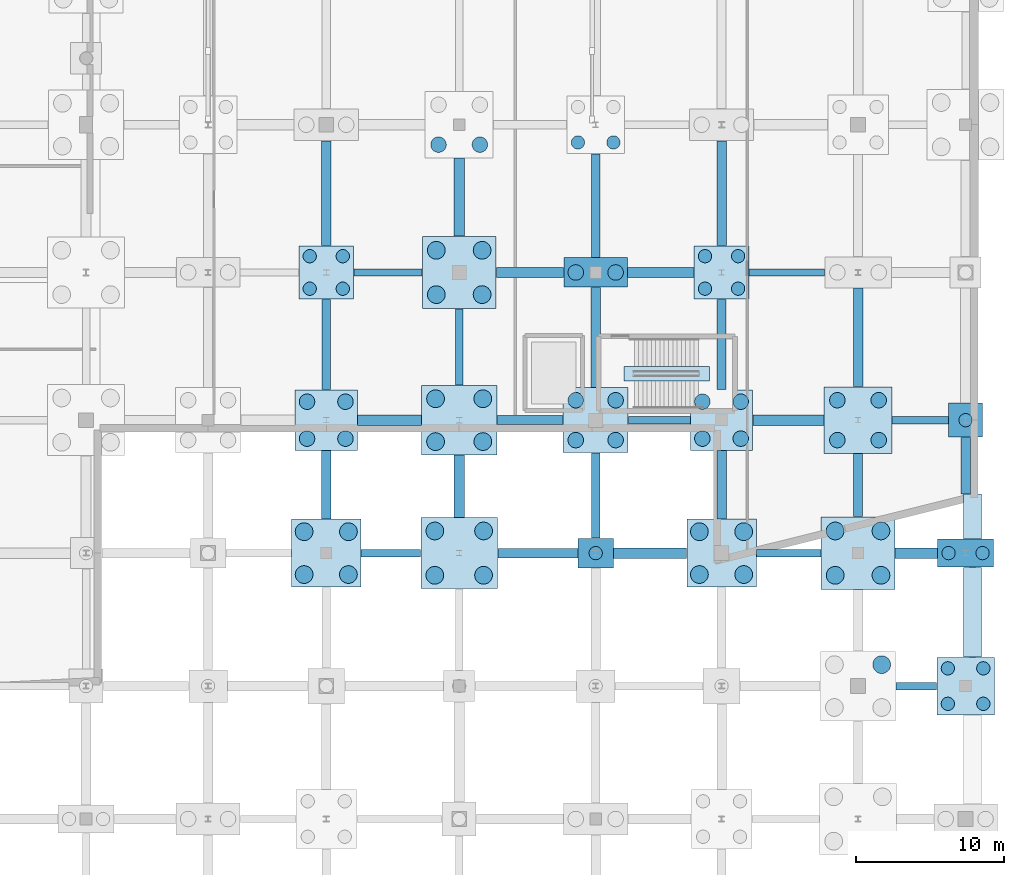
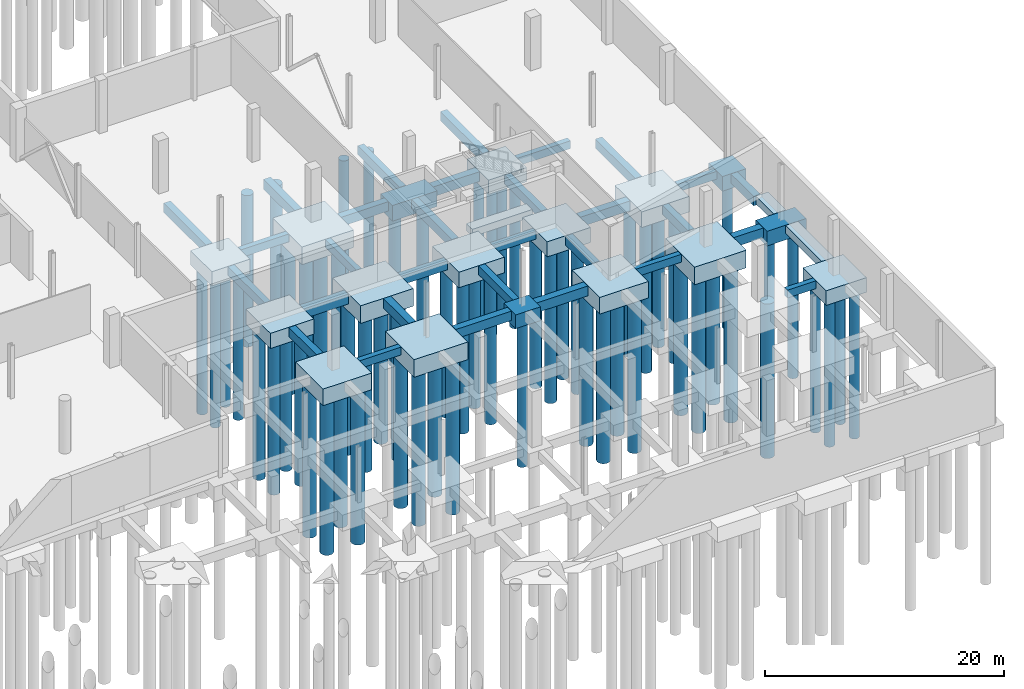
# One storey, part 12 of 60: 63 piles, 50 footings.
"""IFC4 building model written with IfcOpenShell, lengths in metres."""

from ifc_helpers import new_model, si_unit, direction, frame, origin, origin_2d, place, context, subcontext, project, spatial, rectangle, circle, extrude, material, material_profile, profile_set, type_object, element, save


model = new_model("IFC4")

# Units and contexts
model_context = context("Model", 3, precision=1e-05, world=origin(), true_north=direction((0.0, 1.0)))
body_context = subcontext(model_context, "Body", "Model", "MODEL_VIEW")
ifc_project = project(units=[si_unit("LENGTHUNIT", "METRE"), si_unit("AREAUNIT", "SQUARE_METRE"), si_unit("VOLUMEUNIT", "CUBIC_METRE"), si_unit("PLANEANGLEUNIT", "RADIAN"), si_unit("MASSUNIT", "GRAM", prefix="KILO")], contexts=[model_context])

# Site, building, storey
site_placement = place(None, origin())
site = spatial("IfcSite", under=ifc_project, at=site_placement, CompositionType="ELEMENT")
building_placement = place(site_placement, origin())
building = spatial("IfcBuilding", under=site, at=building_placement, Name="Trimount Lyric Opera House", CompositionType="ELEMENT")
storey_placement = place(building_placement, frame((0.0, 0.0, -5.39990234375)))
storey = spatial("IfcBuildingStorey", under=building, at=storey_placement, Name="B1", CompositionType="ELEMENT", Elevation=-5.39990234375)

# Footings
ifc_material_1 = material(Name="Concrete C40/50", Category="concrete")
footing_type_1 = type_object("IfcFootingType", Name="FB-01", PredefinedType="FOOTING_BEAM", material=ifc_material_1)
footing_1_placement = place(storey_placement, frame((134.27490234375, 44.0, -1.60009765625), z_axis=(0.0, 0.0, 1.0), x_axis=(1.0, 0.0, 0.0)))
element("IfcFooting", 1, at=footing_1_placement, inside=storey, type_object=footing_type_1, Name="Ground tie beam X-0320", PredefinedType="FOOTING_BEAM", context=body_context, shape_type="SweptSolid", body=[
    extrude(rectangle(XDim=4.320068359375, YDim=0.699951171875, at=origin_2d()), origin(), (0.0, 0.0, 1.0), 1.0),
])
footing_2_placement = place(storey_placement, frame((139.0, 39.52490234375, -1.60009765625), z_axis=(0.0, 0.0, 1.0), x_axis=(1.0, 0.0, 0.0)))
element("IfcFooting", 2, at=footing_2_placement, inside=storey, type_object=footing_type_1, Name="Ground tie beam Y-0340", PredefinedType="FOOTING_BEAM", context=body_context, shape_type="SweptSolid", body=[
    extrude(rectangle(XDim=0.699951171875, YDim=4.219970703125, at=origin_2d()), origin(), (0.0, 0.0, 1.0), 1.0),
])
footing_3_placement = place(storey_placement, frame((139.0, 59.10009765625, -1.60009765625), z_axis=(0.0, 0.0, 1.0), x_axis=(1.0, 0.0, 0.0)))
element("IfcFooting", 3, at=footing_3_placement, inside=storey, type_object=footing_type_1, Name="Ground tie beam Y-0344", PredefinedType="FOOTING_BEAM", context=body_context, shape_type="SweptSolid", body=[
    extrude(rectangle(XDim=0.699951171875, YDim=5.27001953125, at=origin_2d()), origin(), (0.0, 0.0, 1.0), 1.0),
])
footing_4_placement = place(storey_placement, frame((151.925048828125, 35.0, -1.60009765625), z_axis=(0.0, 0.0, 1.0), x_axis=(1.0, 0.0, 0.0)))
element("IfcFooting", 4, at=footing_4_placement, inside=storey, type_object=footing_type_1, Name="Ground tie beam X-0360", PredefinedType="FOOTING_BEAM", context=body_context, shape_type="SweptSolid", body=[
    extrude(rectangle(XDim=4.93994140625, YDim=0.699951171875, at=origin_2d()), origin(), (0.0, 0.0, 1.0), 1.0),
])
footing_5_placement = place(storey_placement, frame((152.64990234375, 54.0, -1.60009765625), z_axis=(0.0, 0.0, 1.0), x_axis=(1.0, 0.0, 0.0)))
element("IfcFooting", 5, at=footing_5_placement, inside=storey, type_object=footing_type_1, Name="Ground tie beam X-0364", PredefinedType="FOOTING_BEAM", context=body_context, shape_type="SweptSolid", body=[
    extrude(rectangle(XDim=4.489990234375, YDim=0.699951171875, at=origin_2d()), origin(), (0.0, 0.0, 1.0), 1.0),
])
footing_6_placement = place(storey_placement, frame((161.280029296875, 44.0, -1.60009765625), z_axis=(0.0, 0.0, 1.0), x_axis=(1.0, 0.0, 0.0)))
element("IfcFooting", 6, at=footing_6_placement, inside=storey, type_object=footing_type_1, Name="Ground tie beam X-0388", PredefinedType="FOOTING_BEAM", context=body_context, shape_type="SweptSolid", body=[
    extrude(rectangle(XDim=4.81005859375, YDim=0.699951171875, at=origin_2d()), origin(), (0.0, 0.0, 1.0), 1.0),
])
footing_7_placement = place(storey_placement, frame((169.93994140625, 35.0, -1.60009765625), z_axis=(0.0, 0.0, 1.0), x_axis=(1.0, 0.0, 0.0)))
element("IfcFooting", 7, at=footing_7_placement, inside=storey, type_object=footing_type_1, Name="Ground tie beam X-0412", PredefinedType="FOOTING_BEAM", context=body_context, shape_type="SweptSolid", body=[
    extrude(rectangle(XDim=2.85009765625, YDim=0.699951171875, at=origin_2d()), origin(), (0.0, 0.0, 1.0), 1.0),
])
ifc_material_2 = material(Name="Concrete C40/50", Category="concrete")
footing_type_2 = type_object("IfcFootingType", Name="FB-02", PredefinedType="FOOTING_BEAM", material=ifc_material_2)
footing_8_placement = place(storey_placement, frame((130.0, 49.125, -1.5), z_axis=(0.0, 0.0, 1.0), x_axis=(1.0, 0.0, 0.0)))
element("IfcFooting", 8, at=footing_8_placement, inside=storey, type_object=footing_type_2, Name="Ground tie beam Y-0321", PredefinedType="FOOTING_BEAM", context=body_context, shape_type="SweptSolid", body=[
    extrude(rectangle(XDim=0.60009765625, YDim=6.1201171875, at=origin_2d()), origin(), (0.0, 0.0, 1.0), 0.89990234375),
])
footing_9_placement = place(storey_placement, frame((143.794921875, 44.0, -1.5), z_axis=(0.0, 0.0, 1.0), x_axis=(1.0, 0.0, 0.0)))
element("IfcFooting", 9, at=footing_9_placement, inside=storey, type_object=footing_type_2, Name="Ground tie beam X-0341", PredefinedType="FOOTING_BEAM", context=body_context, shape_type="SweptSolid", body=[
    extrude(rectangle(XDim=4.4599609375, YDim=0.60009765625, at=origin_2d()), origin(), (0.0, 0.0, 1.0), 0.89990234375),
])
footing_10_placement = place(storey_placement, frame((148.239990234375, 38.89990234375, -1.5), z_axis=(0.0, 0.0, 1.0), x_axis=(1.0, 0.0, 0.0)))
element("IfcFooting", 10, at=footing_10_placement, inside=storey, type_object=footing_type_2, Name="Ground tie beam Y-0361", PredefinedType="FOOTING_BEAM", context=body_context, shape_type="SweptSolid", body=[
    extrude(rectangle(XDim=0.60009765625, YDim=5.77001953125, at=origin_2d()), origin(), (0.0, 0.0, 1.0), 0.89990234375),
])
footing_11_placement = place(storey_placement, frame((148.239990234375, 58.52490234375, -1.5), z_axis=(0.0, 0.0, 1.0), x_axis=(1.0, 0.0, 0.0)))
element("IfcFooting", 11, at=footing_11_placement, inside=storey, type_object=footing_type_2, Name="Ground tie beam Y-0365", PredefinedType="FOOTING_BEAM", context=body_context, shape_type="SweptSolid", body=[
    extrude(rectangle(XDim=0.60009765625, YDim=7.02001953125, at=origin_2d()), origin(), (0.0, 0.0, 1.0), 0.89990234375),
])
footing_12_placement = place(storey_placement, frame((156.760009765625, 49.125, -1.5), z_axis=(0.0, 0.0, 1.0), x_axis=(1.0, 0.0, 0.0)))
element("IfcFooting", 12, at=footing_12_placement, inside=storey, type_object=footing_type_2, Name="Ground tie beam Y-0389", PredefinedType="FOOTING_BEAM", context=body_context, shape_type="SweptSolid", body=[
    extrude(rectangle(XDim=0.60009765625, YDim=6.1201171875, at=origin_2d()), origin(), (0.0, 0.0, 1.0), 0.89990234375),
])
footing_13_placement = place(storey_placement, frame((166.0, 39.60009765625, -1.5), z_axis=(0.0, 0.0, 1.0), x_axis=(1.0, 0.0, 0.0)))
element("IfcFooting", 13, at=footing_13_placement, inside=storey, type_object=footing_type_2, Name="Ground tie beam Y-0413", PredefinedType="FOOTING_BEAM", context=body_context, shape_type="SweptSolid", body=[
    extrude(rectangle(XDim=0.60009765625, YDim=4.27001953125, at=origin_2d()), origin(), (0.0, 0.0, 1.0), 0.89990234375),
])
ifc_material_3 = material(Name="Concrete C40/50", Category="concrete")
footing_type_3 = type_object("IfcFootingType", Name="FB-03", PredefinedType="FOOTING_BEAM", material=ifc_material_3)
footing_14_placement = place(storey_placement, frame((134.375, 35.0, -1.39990234375), z_axis=(0.0, 0.0, 1.0), x_axis=(1.0, 0.0, 0.0)))
element("IfcFooting", 14, at=footing_14_placement, inside=storey, type_object=footing_type_3, Name="Ground tie beam X-0318", PredefinedType="FOOTING_BEAM", context=body_context, shape_type="SweptSolid", body=[
    extrude(rectangle(XDim=4.02001953125, YDim=0.5, at=origin_2d()), origin(), (0.0, 0.0, 1.0), 0.800048828125),
])
footing_15_placement = place(storey_placement, frame((134.175048828125, 54.0, -1.39990234375), z_axis=(0.0, 0.0, 1.0), x_axis=(1.0, 0.0, 0.0)))
element("IfcFooting", 15, at=footing_15_placement, inside=storey, type_object=footing_type_3, Name="Ground tie beam X-0322", PredefinedType="FOOTING_BEAM", context=body_context, shape_type="SweptSolid", body=[
    extrude(rectangle(XDim=4.6201171875, YDim=0.5, at=origin_2d()), origin(), (0.0, 0.0, 1.0), 0.800048828125),
])
footing_16_placement = place(storey_placement, frame((139.0, 48.949951171875, -1.39990234375), z_axis=(0.0, 0.0, 1.0), x_axis=(1.0, 0.0, 0.0)))
element("IfcFooting", 16, at=footing_16_placement, inside=storey, type_object=footing_type_3, Name="Ground tie beam Y-0342", PredefinedType="FOOTING_BEAM", context=body_context, shape_type="SweptSolid", body=[
    extrude(rectangle(XDim=0.5, YDim=5.169921875, at=origin_2d()), origin(), (0.0, 0.0, 1.0), 0.800048828125),
])
footing_17_placement = place(storey_placement, frame((152.550048828125, 44.0, -1.39990234375), z_axis=(0.0, 0.0, 1.0), x_axis=(1.0, 0.0, 0.0)))
element("IfcFooting", 17, at=footing_17_placement, inside=storey, type_object=footing_type_3, Name="Ground tie beam X-0362", PredefinedType="FOOTING_BEAM", context=body_context, shape_type="SweptSolid", body=[
    extrude(rectangle(XDim=4.18994140625, YDim=0.5, at=origin_2d()), origin(), (0.0, 0.0, 1.0), 0.800048828125),
])
footing_18_placement = place(storey_placement, frame((161.304931640625, 35.0, -1.39990234375), z_axis=(0.0, 0.0, 1.0), x_axis=(1.0, 0.0, 0.0)))
element("IfcFooting", 18, at=footing_18_placement, inside=storey, type_object=footing_type_3, Name="Ground tie beam X-0386", PredefinedType="FOOTING_BEAM", context=body_context, shape_type="SweptSolid", body=[
    extrude(rectangle(XDim=4.360107421875, YDim=0.5, at=origin_2d()), origin(), (0.0, 0.0, 1.0), 0.800048828125),
])
footing_19_placement = place(storey_placement, frame((161.179931640625, 54.0, -1.39990234375), z_axis=(0.0, 0.0, 1.0), x_axis=(1.0, 0.0, 0.0)))
element("IfcFooting", 19, at=footing_19_placement, inside=storey, type_object=footing_type_3, Name="Ground tie beam X-0390", PredefinedType="FOOTING_BEAM", context=body_context, shape_type="SweptSolid", body=[
    extrude(rectangle(XDim=5.110107421875, YDim=0.5, at=origin_2d()), origin(), (0.0, 0.0, 1.0), 0.800048828125),
])
footing_20_placement = place(storey_placement, frame((169.93994140625, 26.0, -1.39990234375), z_axis=(0.0, 0.0, 1.0), x_axis=(1.0, 0.0, 0.0)))
element("IfcFooting", 20, at=footing_20_placement, inside=storey, type_object=footing_type_3, Name="Ground tie beam X-0410", PredefinedType="FOOTING_BEAM", context=body_context, shape_type="SweptSolid", body=[
    extrude(rectangle(XDim=2.75, YDim=0.5, at=origin_2d()), origin(), (0.0, 0.0, 1.0), 0.800048828125),
])
footing_21_placement = place(storey_placement, frame((170.215087890625, 44.0, -1.39990234375), z_axis=(0.0, 0.0, 1.0), x_axis=(1.0, 0.0, 0.0)))
element("IfcFooting", 21, at=footing_21_placement, inside=storey, type_object=footing_type_3, Name="Ground tie beam X-0414", PredefinedType="FOOTING_BEAM", context=body_context, shape_type="SweptSolid", body=[
    extrude(rectangle(XDim=3.800048828125, YDim=0.5, at=origin_2d()), origin(), (0.0, 0.0, 1.0), 0.800048828125),
])
ifc_material_4 = material(Name="Concrete C40/50", Category="concrete")
footing_type_4 = type_object("IfcFootingType", Name="FB-04", PredefinedType="FOOTING_BEAM", material=ifc_material_4)
footing_22_placement = place(storey_placement, frame((130.0, 39.625, -1.55029296875), z_axis=(0.0, 0.0, 1.0), x_axis=(1.0, 0.0, 0.0)))
element("IfcFooting", 22, at=footing_22_placement, inside=storey, type_object=footing_type_4, Name="Ground tie beam Y-0319", PredefinedType="FOOTING_BEAM", context=body_context, shape_type="SweptSolid", body=[
    extrude(rectangle(XDim=0.64990234375, YDim=4.6201171875, at=origin_2d()), origin(), (0.0, 0.0, 1.0), 0.949951171875),
])
footing_23_placement = place(storey_placement, frame((130.0, 59.362548828125, -1.55029296875), z_axis=(0.0, 0.0, 1.0), x_axis=(1.0, 0.0, 0.0)))
element("IfcFooting", 23, at=footing_23_placement, inside=storey, type_object=footing_type_4, Name="Ground tie beam Y-0323", PredefinedType="FOOTING_BEAM", context=body_context, shape_type="SweptSolid", body=[
    extrude(rectangle(XDim=0.64990234375, YDim=7.094970703125, at=origin_2d()), origin(), (0.0, 0.0, 1.0), 0.949951171875),
])
footing_24_placement = place(storey_placement, frame((144.320068359375, 35.0, -1.55029296875), z_axis=(0.0, 0.0, 1.0), x_axis=(1.0, 0.0, 0.0)))
element("IfcFooting", 24, at=footing_24_placement, inside=storey, type_object=footing_type_4, Name="Ground tie beam X-0339", PredefinedType="FOOTING_BEAM", context=body_context, shape_type="SweptSolid", body=[
    extrude(rectangle(XDim=5.409912109375, YDim=0.64990234375, at=origin_2d()), origin(), (0.0, 0.0, 1.0), 0.949951171875),
])
footing_25_placement = place(storey_placement, frame((143.794921875, 54.0, -1.55029296875), z_axis=(0.0, 0.0, 1.0), x_axis=(1.0, 0.0, 0.0)))
element("IfcFooting", 25, at=footing_25_placement, inside=storey, type_object=footing_type_4, Name="Ground tie beam X-0343", PredefinedType="FOOTING_BEAM", context=body_context, shape_type="SweptSolid", body=[
    extrude(rectangle(XDim=4.56005859375, YDim=0.64990234375, at=origin_2d()), origin(), (0.0, 0.0, 1.0), 0.949951171875),
])
footing_26_placement = place(storey_placement, frame((148.239990234375, 49.60009765625, -1.55029296875), z_axis=(0.0, 0.0, 1.0), x_axis=(1.0, 0.0, 0.0)))
element("IfcFooting", 26, at=footing_26_placement, inside=storey, type_object=footing_type_4, Name="Ground tie beam Y-0363", PredefinedType="FOOTING_BEAM", context=body_context, shape_type="SweptSolid", body=[
    extrude(rectangle(XDim=0.64990234375, YDim=6.77001953125, at=origin_2d()), origin(), (0.0, 0.0, 1.0), 0.949951171875),
])
footing_27_placement = place(storey_placement, frame((156.760009765625, 39.625, -1.55029296875), z_axis=(0.0, 0.0, 1.0), x_axis=(1.0, 0.0, 0.0)))
element("IfcFooting", 27, at=footing_27_placement, inside=storey, type_object=footing_type_4, Name="Ground tie beam Y-0387", PredefinedType="FOOTING_BEAM", context=body_context, shape_type="SweptSolid", body=[
    extrude(rectangle(XDim=0.64990234375, YDim=4.6201171875, at=origin_2d()), origin(), (0.0, 0.0, 1.0), 0.949951171875),
])
footing_28_placement = place(storey_placement, frame((156.760009765625, 59.362548828125, -1.55029296875), z_axis=(0.0, 0.0, 1.0), x_axis=(1.0, 0.0, 0.0)))
element("IfcFooting", 28, at=footing_28_placement, inside=storey, type_object=footing_type_4, Name="Ground tie beam Y-0391", PredefinedType="FOOTING_BEAM", context=body_context, shape_type="SweptSolid", body=[
    extrude(rectangle(XDim=0.64990234375, YDim=7.094970703125, at=origin_2d()), origin(), (0.0, 0.0, 1.0), 0.949951171875),
])
footing_29_placement = place(storey_placement, frame((166.0, 49.60009765625, -1.55029296875), z_axis=(0.0, 0.0, 1.0), x_axis=(1.0, 0.0, 0.0)))
element("IfcFooting", 29, at=footing_29_placement, inside=storey, type_object=footing_type_4, Name="Ground tie beam Y-0415", PredefinedType="FOOTING_BEAM", context=body_context, shape_type="SweptSolid", body=[
    extrude(rectangle(XDim=0.64990234375, YDim=6.669921875, at=origin_2d()), origin(), (0.0, 0.0, 1.0), 0.949951171875),
])
footing_30_placement = place(storey_placement, frame((173.280029296875, 40.925048828125, -1.55029296875), z_axis=(0.0, 0.0, 1.0), x_axis=(1.0, 0.0, 0.0)))
element("IfcFooting", 30, at=footing_30_placement, inside=storey, type_object=footing_type_4, Name="Ground tie beam Y-0431", PredefinedType="FOOTING_BEAM", context=body_context, shape_type="SweptSolid", body=[
    extrude(rectangle(XDim=0.64990234375, YDim=3.820068359375, at=origin_2d()), origin(), (0.0, 0.0, 1.0), 0.949951171875),
])
ifc_material_5 = material(Name="Concrete C40/50", Category="concrete")
footing_type_5 = type_object("IfcFootingType", Name="PC-04", PredefinedType="PILE_CAP", material=ifc_material_5)
footing_31_placement = place(storey_placement, frame((148.239990234375, 44.0, -2.2001953125), z_axis=(0.0, 0.0, 1.0), x_axis=(1.0, 0.0, 0.0)))
element("IfcFooting", 31, at=footing_31_placement, inside=storey, type_object=footing_type_5, Name="Pile cap 17/F", PredefinedType="PILE_CAP", context=body_context, shape_type="SweptSolid", body=[
    extrude(rectangle(XDim=4.39990234375, YDim=4.39990234375, at=origin_2d()), origin(), (0.0, 0.0, 1.0), 1.60009765625),
])
ifc_material_6 = material(Name="Concrete C40/50", Category="concrete")
footing_type_6 = type_object("IfcFootingType", Name="PC-05", PredefinedType="PILE_CAP", material=ifc_material_6)
footing_32_placement = place(storey_placement, frame((148.239990234375, 54.0, -2.2001953125), z_axis=(0.0, 0.0, 1.0), x_axis=(1.0, 0.0, 0.0)))
element("IfcFooting", 32, at=footing_32_placement, inside=storey, type_object=footing_type_6, Name="Pile cap 17/G", PredefinedType="PILE_CAP", context=body_context, shape_type="SweptSolid", body=[
    extrude(rectangle(XDim=4.300048828125, YDim=2.0, at=origin_2d()), origin(), (0.0, 0.0, 1.0), 1.60009765625),
])
ifc_material_7 = material(Name="Concrete C40/50", Category="concrete")
footing_type_7 = type_object("IfcFootingType", Name="PC-06", PredefinedType="PILE_CAP", material=ifc_material_7)
footing_33_placement = place(storey_placement, frame((173.280029296875, 26.0, -2.10009765625), z_axis=(0.0, 0.0, 1.0), x_axis=(1.0, 0.0, 0.0)))
element("IfcFooting", 33, at=footing_33_placement, inside=storey, type_object=footing_type_7, Name="Pile cap 20/D", PredefinedType="PILE_CAP", context=body_context, shape_type="SweptSolid", body=[
    extrude(rectangle(XDim=3.89990234375, YDim=3.89990234375, at=origin_2d()), origin(), (0.0, 0.0, 1.0), 1.5),
])
ifc_material_8 = material(Name="Concrete C40/50", Category="concrete")
footing_type_8 = type_object("IfcFootingType", Name="PC-07", PredefinedType="PILE_CAP", material=ifc_material_8)
footing_34_placement = place(storey_placement, frame((173.280029296875, 35.0, -2.10009765625), z_axis=(0.0, 0.0, 1.0), x_axis=(1.0, 0.0, 0.0)))
element("IfcFooting", 34, at=footing_34_placement, inside=storey, type_object=footing_type_8, Name="Pile cap 20/E", PredefinedType="PILE_CAP", context=body_context, shape_type="SweptSolid", body=[
    extrude(rectangle(XDim=3.800048828125, YDim=1.89990234375, at=origin_2d()), origin(), (0.0, 0.0, 1.0), 1.5),
])
ifc_material_9 = material(Name="Concrete C40/50", Category="concrete")
footing_type_9 = type_object("IfcFootingType", Name="PC-08", PredefinedType="PILE_CAP", material=ifc_material_9)
footing_35_placement = place(storey_placement, frame((173.280029296875, 44.0, -2.10009765625), z_axis=(0.0, 0.0, 1.0), x_axis=(1.0, 0.0, 0.0)))
element("IfcFooting", 35, at=footing_35_placement, inside=storey, type_object=footing_type_9, Name="Pile cap 20/F", PredefinedType="PILE_CAP", context=body_context, shape_type="SweptSolid", body=[
    extrude(rectangle(XDim=2.300048828125, YDim=2.300048828125, at=origin_2d()), origin(), (0.0, 0.0, 1.0), 1.5),
])
ifc_material_10 = material(Name="Concrete C40/50", Category="concrete")
footing_type_10 = type_object("IfcFootingType", Name="PC-10", PredefinedType="PILE_CAP", material=ifc_material_10)
footing_36_placement = place(storey_placement, frame((139.0, 35.0, -2.39990234375), z_axis=(0.0, 0.0, 1.0), x_axis=(1.0, 0.0, 0.0)))
element("IfcFooting", 36, at=footing_36_placement, inside=storey, type_object=footing_type_10, Name="Pile cap 16/E", PredefinedType="PILE_CAP", context=body_context, shape_type="SweptSolid", body=[
    extrude(rectangle(XDim=5.199951171875, YDim=4.800048828125, at=origin_2d()), origin(), (0.0, 0.0, 1.0), 1.800048828125),
])
ifc_material_11 = material(Name="Concrete C40/50", Category="concrete")
footing_type_11 = type_object("IfcFootingType", Name="PC-11", PredefinedType="PILE_CAP", material=ifc_material_11)
footing_37_placement = place(storey_placement, frame((139.0, 44.0, -2.39990234375), z_axis=(0.0, 0.0, 1.0), x_axis=(1.0, 0.0, 0.0)))
element("IfcFooting", 37, at=footing_37_placement, inside=storey, type_object=footing_type_11, Name="Pile cap 16/F", PredefinedType="PILE_CAP", context=body_context, shape_type="SweptSolid", body=[
    extrude(rectangle(XDim=5.10009765625, YDim=4.699951171875, at=origin_2d()), origin(), (0.0, 0.0, 1.0), 1.800048828125),
])
ifc_material_12 = material(Name="Concrete C40/50", Category="concrete")
footing_type_12 = type_object("IfcFootingType", Name="PC-12", PredefinedType="PILE_CAP", material=ifc_material_12)
for number, where, z_axis, x_axis, name in (
    (38, (139.0, 54.0, -2.39990234375), (0.0, 0.0, 1.0), (1.0, 0.0, 0.0), "Pile cap 16/G"),
    (39, (166.0, 35.0, -2.39990234375), (0.0, 0.0, 1.0), (1.0, 0.0, 0.0), "Pile cap 19/E"),
):
    element("IfcFooting", number, at=place(storey_placement, frame(where, z_axis=z_axis, x_axis=x_axis)), inside=storey, type_object=footing_type_12, Name=name, PredefinedType="PILE_CAP", context=body_context, shape_type="SweptSolid", body=[
        extrude(rectangle(XDim=5.0, YDim=4.89990234375, at=origin_2d()), origin(), (0.0, 0.0, 1.0), 1.800048828125),
    ])
ifc_material_13 = material(Name="Concrete C40/50", Category="concrete")
footing_type_13 = type_object("IfcFootingType", Name="PC-13", PredefinedType="PILE_CAP", material=ifc_material_13)
footing_38_placement = place(storey_placement, frame((166.0, 44.0, -2.2001953125), z_axis=(0.0, 0.0, 1.0), x_axis=(1.0, 0.0, 0.0)))
element("IfcFooting", 40, at=footing_38_placement, inside=storey, type_object=footing_type_13, Name="Pile cap 19/F", PredefinedType="PILE_CAP", context=body_context, shape_type="SweptSolid", body=[
    extrude(rectangle(XDim=4.60009765625, YDim=4.5, at=origin_2d()), origin(), (0.0, 0.0, 1.0), 1.60009765625),
])
ifc_material_14 = material(Name="Concrete C40/50", Category="concrete")
footing_type_14 = type_object("IfcFootingType", Name="PC-17", PredefinedType="PILE_CAP", material=ifc_material_14)
for number, where, z_axis, x_axis, name in (
    (41, (130.0, 35.0, -2.30029296875), (0.0, 0.0, 1.0), (1.0, 0.0, 0.0), "Pile cap 15/E"),
    (42, (156.760009765625, 35.0, -2.30029296875), (0.0, 0.0, 1.0), (1.0, 0.0, 0.0), "Pile cap 18/E"),
):
    element("IfcFooting", number, at=place(storey_placement, frame(where, z_axis=z_axis, x_axis=x_axis)), inside=storey, type_object=footing_type_14, Name=name, PredefinedType="PILE_CAP", context=body_context, shape_type="SweptSolid", body=[
        extrude(rectangle(XDim=4.699951171875, YDim=4.60009765625, at=origin_2d()), origin(), (0.0, 0.0, 1.0), 1.699951171875),
    ])
ifc_material_15 = material(Name="Concrete C40/50", Category="concrete")
footing_type_15 = type_object("IfcFootingType", Name="PC-18", PredefinedType="PILE_CAP", material=ifc_material_15)
for number, where, z_axis, x_axis, name in (
    (43, (130.0, 44.0, -2.14990234375), (0.0, 0.0, 1.0), (1.0, 0.0, 0.0), "Pile cap 15/F"),
    (44, (156.760009765625, 44.0, -2.14990234375), (0.0, 0.0, 1.0), (1.0, 0.0, 0.0), "Pile cap 18/F"),
):
    element("IfcFooting", number, at=place(storey_placement, frame(where, z_axis=z_axis, x_axis=x_axis)), inside=storey, type_object=footing_type_15, Name=name, PredefinedType="PILE_CAP", context=body_context, shape_type="SweptSolid", body=[
        extrude(rectangle(XDim=4.199951171875, YDim=4.10009765625, at=origin_2d()), origin(), (0.0, 0.0, 1.0), 1.550048828125),
    ])
ifc_material_16 = material(Name="Concrete C40/50", Category="concrete")
footing_type_16 = type_object("IfcFootingType", Name="PC-19", PredefinedType="PILE_CAP", material=ifc_material_16)
for number, where, z_axis, x_axis, name in (
    (45, (130.0, 54.0, -2.05029296875), (0.0, 0.0, 1.0), (1.0, 0.0, 0.0), "Pile cap 15/G"),
    (46, (156.760009765625, 54.0, -2.05029296875), (0.0, 0.0, 1.0), (1.0, 0.0, 0.0), "Pile cap 18/G"),
):
    element("IfcFooting", number, at=place(storey_placement, frame(where, z_axis=z_axis, x_axis=x_axis)), inside=storey, type_object=footing_type_16, Name=name, PredefinedType="PILE_CAP", context=body_context, shape_type="SweptSolid", body=[
        extrude(rectangle(XDim=3.699951171875, YDim=3.60009765625, at=origin_2d()), origin(), (0.0, 0.0, 1.0), 1.449951171875),
    ])
ifc_material_17 = material(Name="Concrete C40/50", Category="concrete")
footing_type_17 = type_object("IfcFootingType", Name="PC-22", PredefinedType="PILE_CAP", material=ifc_material_17)
footing_39_placement = place(storey_placement, frame((148.239990234375, 35.0, -2.0), z_axis=(0.0, 0.0, 1.0), x_axis=(1.0, 0.0, 0.0)))
element("IfcFooting", 47, at=footing_39_placement, inside=storey, type_object=footing_type_17, Name="Pile cap 17/E", PredefinedType="PILE_CAP", context=body_context, shape_type="SweptSolid", body=[
    extrude(rectangle(XDim=2.39990234375, YDim=2.0, at=origin_2d()), origin(), (0.0, 0.0, 1.0), 1.39990234375),
])

# Piles
ifc_material_18 = material(Name="Concrete C40/50", Category="concrete")
ifc_material_profile_1 = material_profile(ifc_material_18, circle(Radius=0.52490234375, at=origin_2d()), Name="PILE-D1050")
ifc_profile_set_1 = profile_set([ifc_material_profile_1], Name="Concrete C40/50")
pile_type_1 = type_object("IfcPileType", Name="PL-1050", PredefinedType="BORED", material=ifc_profile_set_1)
for number, where, z_axis, x_axis, name in (
    (48, (128.699951171875, 42.75, -2.050048828125), (0.0, 0.0, -1.0), (1.0, 0.0, 0.0), "Bored pile 0553"),
    (49, (131.300048828125, 42.75, -2.050048828125), (0.0, 0.0, -1.0), (1.0, 0.0, 0.0), "Bored pile 0554"),
    (50, (128.699951171875, 45.25, -2.050048828125), (0.0, 0.0, -1.0), (1.0, 0.0, 0.0), "Bored pile 0555"),
    (51, (131.300048828125, 45.25, -2.050048828125), (0.0, 0.0, -1.0), (1.0, 0.0, 0.0), "Bored pile 0556"),
    (52, (137.60009765625, 62.64990234375, -2.10009765625), (0.0, 0.0, -1.0), (1.0, 0.0, 0.0), "Bored pile 0591"),
    (53, (140.39990234375, 62.64990234375, -2.10009765625), (0.0, 0.0, -1.0), (1.0, 0.0, 0.0), "Bored pile 0592"),
    (54, (146.889892578125, 42.64990234375, -2.10009765625), (0.0, 0.0, -1.0), (1.0, 0.0, 0.0), "Bored pile 0618"),
    (55, (149.590087890625, 42.64990234375, -2.10009765625), (0.0, 0.0, -1.0), (1.0, 0.0, 0.0), "Bored pile 0619"),
    (56, (146.889892578125, 45.35009765625, -2.10009765625), (0.0, 0.0, -1.0), (1.0, 0.0, 0.0), "Bored pile 0620"),
    (57, (149.590087890625, 45.35009765625, -2.10009765625), (0.0, 0.0, -1.0), (1.0, 0.0, 0.0), "Bored pile 0621"),
    (58, (146.889892578125, 54.0, -2.10009765625), (0.0, 0.0, -1.0), (1.0, 0.0, 0.0), "Bored pile 0622"),
    (59, (149.590087890625, 54.0, -2.10009765625), (0.0, 0.0, -1.0), (1.0, 0.0, 0.0), "Bored pile 0623"),
    (60, (155.4599609375, 42.75, -2.050048828125), (0.0, 0.0, -1.0), (1.0, 0.0, 0.0), "Bored pile 0659"),
    (61, (158.06005859375, 42.75, -2.050048828125), (0.0, 0.0, -1.0), (1.0, 0.0, 0.0), "Bored pile 0660"),
    (62, (155.4599609375, 45.25, -2.050048828125), (0.0, 0.0, -1.0), (1.0, 0.0, 0.0), "Bored pile 0661"),
    (63, (158.06005859375, 45.25, -2.050048828125), (0.0, 0.0, -1.0), (1.0, 0.0, 0.0), "Bored pile 0662"),
    (64, (164.60009765625, 42.64990234375, -2.10009765625), (0.0, 0.0, -1.0), (1.0, 0.0, 0.0), "Bored pile 0697"),
    (65, (167.39990234375, 42.64990234375, -2.10009765625), (0.0, 0.0, -1.0), (1.0, 0.0, 0.0), "Bored pile 0698"),
    (66, (164.60009765625, 45.35009765625, -2.10009765625), (0.0, 0.0, -1.0), (1.0, 0.0, 0.0), "Bored pile 0699"),
    (67, (167.39990234375, 45.35009765625, -2.10009765625), (0.0, 0.0, -1.0), (1.0, 0.0, 0.0), "Bored pile 0700"),
):
    element("IfcPile", number, at=place(storey_placement, frame(where, z_axis=z_axis, x_axis=x_axis)), inside=storey, type_object=pile_type_1, Name=name, PredefinedType="BORED", context=body_context, shape_type="SweptSolid", body=[
        extrude(circle(Radius=0.52490234375, at=origin_2d()), origin(), (0.0, 0.0, 1.0), 15.5),
    ])
ifc_material_19 = material(Name="Concrete C40/50", Category="concrete")
ifc_material_profile_2 = material_profile(ifc_material_19, circle(Radius=0.60009765625, at=origin_2d()), Name="PILE-D1200")
ifc_profile_set_2 = profile_set([ifc_material_profile_2], Name="Concrete C40/50")
pile_type_2 = type_object("IfcPileType", Name="PL-1200", PredefinedType="BORED", material=ifc_profile_set_2)
for number, where, z_axis, x_axis, name in (
    (68, (128.5, 33.550048828125, -2.2001953125), (0.0, 0.0, -1.0), (1.0, 0.0, 0.0), "Bored pile 0549"),
    (69, (131.5, 33.550048828125, -2.2001953125), (0.0, 0.0, -1.0), (1.0, 0.0, 0.0), "Bored pile 0550"),
    (70, (128.5, 36.449951171875, -2.2001953125), (0.0, 0.0, -1.0), (1.0, 0.0, 0.0), "Bored pile 0551"),
    (71, (131.5, 36.449951171875, -2.2001953125), (0.0, 0.0, -1.0), (1.0, 0.0, 0.0), "Bored pile 0552"),
    (72, (137.35009765625, 33.5, -2.300048828125), (0.0, 0.0, -1.0), (1.0, 0.0, 0.0), "Bored pile 0579"),
    (73, (140.64990234375, 33.5, -2.300048828125), (0.0, 0.0, -1.0), (1.0, 0.0, 0.0), "Bored pile 0580"),
    (74, (137.35009765625, 36.5, -2.300048828125), (0.0, 0.0, -1.0), (1.0, 0.0, 0.0), "Bored pile 0581"),
    (75, (140.64990234375, 36.5, -2.300048828125), (0.0, 0.0, -1.0), (1.0, 0.0, 0.0), "Bored pile 0582"),
    (76, (137.39990234375, 42.550048828125, -2.300048828125), (0.0, 0.0, -1.0), (1.0, 0.0, 0.0), "Bored pile 0583"),
    (77, (140.60009765625, 42.550048828125, -2.300048828125), (0.0, 0.0, -1.0), (1.0, 0.0, 0.0), "Bored pile 0584"),
    (78, (137.39990234375, 45.449951171875, -2.300048828125), (0.0, 0.0, -1.0), (1.0, 0.0, 0.0), "Bored pile 0585"),
    (79, (140.60009765625, 45.449951171875, -2.300048828125), (0.0, 0.0, -1.0), (1.0, 0.0, 0.0), "Bored pile 0586"),
    (80, (137.449951171875, 52.5, -2.300048828125), (0.0, 0.0, -1.0), (1.0, 0.0, 0.0), "Bored pile 0587"),
    (81, (140.550048828125, 52.5, -2.300048828125), (0.0, 0.0, -1.0), (1.0, 0.0, 0.0), "Bored pile 0588"),
    (82, (137.449951171875, 55.5, -2.300048828125), (0.0, 0.0, -1.0), (1.0, 0.0, 0.0), "Bored pile 0589"),
    (83, (140.550048828125, 55.5, -2.300048828125), (0.0, 0.0, -1.0), (1.0, 0.0, 0.0), "Bored pile 0590"),
    (84, (155.260009765625, 33.550048828125, -2.2001953125), (0.0, 0.0, -1.0), (1.0, 0.0, 0.0), "Bored pile 0655"),
    (85, (158.260009765625, 33.550048828125, -2.2001953125), (0.0, 0.0, -1.0), (1.0, 0.0, 0.0), "Bored pile 0656"),
    (86, (155.260009765625, 36.449951171875, -2.2001953125), (0.0, 0.0, -1.0), (1.0, 0.0, 0.0), "Bored pile 0657"),
    (87, (158.260009765625, 36.449951171875, -2.2001953125), (0.0, 0.0, -1.0), (1.0, 0.0, 0.0), "Bored pile 0658"),
    (88, (167.60009765625, 27.449951171875, -2.300048828125), (0.0, 0.0, -1.0), (1.0, 0.0, 0.0), "Bored pile 0692"),
    (89, (164.449951171875, 33.5, -2.300048828125), (0.0, 0.0, -1.0), (1.0, 0.0, 0.0), "Bored pile 0693"),
    (90, (167.550048828125, 33.5, -2.300048828125), (0.0, 0.0, -1.0), (1.0, 0.0, 0.0), "Bored pile 0694"),
    (91, (164.449951171875, 36.5, -2.300048828125), (0.0, 0.0, -1.0), (1.0, 0.0, 0.0), "Bored pile 0695"),
    (92, (167.550048828125, 36.5, -2.300048828125), (0.0, 0.0, -1.0), (1.0, 0.0, 0.0), "Bored pile 0696"),
):
    element("IfcPile", number, at=place(storey_placement, frame(where, z_axis=z_axis, x_axis=x_axis)), inside=storey, type_object=pile_type_2, Name=name, PredefinedType="BORED", context=body_context, shape_type="SweptSolid", body=[
        extrude(circle(Radius=0.60009765625, at=origin_2d()), origin(), (0.0, 0.0, 1.0), 15.800048828125),
    ])
ifc_material_20 = material(Name="Concrete C40/50", Category="concrete")
ifc_material_profile_3 = material_profile(ifc_material_20, circle(Radius=0.449951171875, at=origin_2d()), Name="PILE-D900")
ifc_profile_set_3 = profile_set([ifc_material_profile_3], Name="Concrete C40/50")
pile_type_3 = type_object("IfcPileType", Name="PL-900", PredefinedType="BORED", material=ifc_profile_set_3)
for number, where, z_axis, x_axis, name in (
    (93, (128.8798828125, 52.89990234375, -1.9501953125), (0.0, 0.0, -1.0), (1.0, 0.0, 0.0), "Bored pile 0557"),
    (94, (131.1201171875, 52.89990234375, -1.9501953125), (0.0, 0.0, -1.0), (1.0, 0.0, 0.0), "Bored pile 0558"),
    (95, (128.8798828125, 55.10009765625, -1.9501953125), (0.0, 0.0, -1.0), (1.0, 0.0, 0.0), "Bored pile 0559"),
    (96, (131.1201171875, 55.10009765625, -1.9501953125), (0.0, 0.0, -1.0), (1.0, 0.0, 0.0), "Bored pile 0560"),
    (97, (148.239990234375, 35.0, -1.900146484375), (0.0, 0.0, -1.0), (1.0, 0.0, 0.0), "Bored pile 0617"),
    (98, (147.0400390625, 62.800048828125, -2.0), (0.0, 0.0, -1.0), (1.0, 0.0, 0.0), "Bored pile 0624"),
    (99, (149.43994140625, 62.800048828125, -2.0), (0.0, 0.0, -1.0), (1.0, 0.0, 0.0), "Bored pile 0625"),
    (100, (155.639892578125, 52.89990234375, -1.9501953125), (0.0, 0.0, -1.0), (1.0, 0.0, 0.0), "Bored pile 0663"),
    (101, (157.8798828125, 52.89990234375, -1.9501953125), (0.0, 0.0, -1.0), (1.0, 0.0, 0.0), "Bored pile 0664"),
    (102, (155.639892578125, 55.10009765625, -1.9501953125), (0.0, 0.0, -1.0), (1.0, 0.0, 0.0), "Bored pile 0665"),
    (103, (157.8798828125, 55.10009765625, -1.9501953125), (0.0, 0.0, -1.0), (1.0, 0.0, 0.0), "Bored pile 0666"),
    (104, (172.080078125, 24.800048828125, -2.0), (0.0, 0.0, -1.0), (1.0, 0.0, 0.0), "Bored pile 0730"),
    (105, (174.47998046875, 24.800048828125, -2.0), (0.0, 0.0, -1.0), (1.0, 0.0, 0.0), "Bored pile 0731"),
    (106, (172.080078125, 27.199951171875, -2.0), (0.0, 0.0, -1.0), (1.0, 0.0, 0.0), "Bored pile 0732"),
    (107, (174.47998046875, 27.199951171875, -2.0), (0.0, 0.0, -1.0), (1.0, 0.0, 0.0), "Bored pile 0733"),
    (108, (172.1298828125, 35.0, -2.0), (0.0, 0.0, -1.0), (1.0, 0.0, 0.0), "Bored pile 0734"),
    (109, (174.429931640625, 35.0, -2.0), (0.0, 0.0, -1.0), (1.0, 0.0, 0.0), "Bored pile 0735"),
    (110, (173.280029296875, 44.0, -2.0), (0.0, 0.0, -1.0), (1.0, 0.0, 0.0), "Bored pile 0736"),
):
    element("IfcPile", number, at=place(storey_placement, frame(where, z_axis=z_axis, x_axis=x_axis)), inside=storey, type_object=pile_type_3, Name=name, PredefinedType="BORED", context=body_context, shape_type="SweptSolid", body=[
        extrude(circle(Radius=0.449951171875, at=origin_2d()), origin(), (0.0, 0.0, 1.0), 15.0),
    ])

# Footings
ifc_material_21 = material(Name="Concrete C40/50", Category="concrete")
footing_type_18 = type_object("IfcFootingType", Name="SF-02", PredefinedType="STRIP_FOOTING", material=ifc_material_21)
footing_40_placement = place(storey_placement, frame((173.75, 31.0, -1.39990234375), z_axis=(0.0, 0.0, 1.0), x_axis=(1.0, 0.0, 0.0)))
element("IfcFooting", 111, at=footing_40_placement, inside=storey, type_object=footing_type_18, Name="Plaza perimeter plinth strip footing PLINTH-E1 seg 4", PredefinedType="STRIP_FOOTING", context=body_context, shape_type="SweptSolid", body=[
    extrude(rectangle(XDim=1.199951171875, YDim=6.070068359375, at=origin_2d()), origin(), (0.0, 0.0, 1.0), 0.800048828125),
])
footing_41_placement = place(storey_placement, frame((173.75, 37.482421875, -1.39990234375), z_axis=(0.0, 0.0, 1.0), x_axis=(1.0, 0.0, 0.0)))
element("IfcFooting", 112, at=footing_41_placement, inside=storey, type_object=footing_type_18, Name="Plaza perimeter plinth strip footing PLINTH-E1 seg 5", PredefinedType="STRIP_FOOTING", context=body_context, shape_type="SweptSolid", body=[
    extrude(rectangle(XDim=1.199951171875, YDim=3.034912109375, at=origin_2d()), origin(), (0.0, 0.0, 1.0), 0.800048828125),
])
ifc_material_22 = material(Name="Concrete C40/50", Category="concrete")
footing_type_19 = type_object("IfcFootingType", Name="SF-03", PredefinedType="STRIP_FOOTING", material=ifc_material_22)
footing_42_placement = place(storey_placement, frame((153.050048828125, 47.14990234375, -1.35009765625), z_axis=(0.0, 0.0, 1.0), x_axis=(1.0, 0.0, 0.0)))
element("IfcFooting", 113, at=footing_42_placement, inside=storey, type_object=footing_type_19, Name="Core strip footing SF-K5", PredefinedType="STRIP_FOOTING", context=body_context, shape_type="SweptSolid", body=[
    extrude(rectangle(XDim=5.800048828125, YDim=1.0, at=origin_2d()), origin(), (0.0, 0.0, 1.0), 0.75),
])

save(model, "model.ifc")
